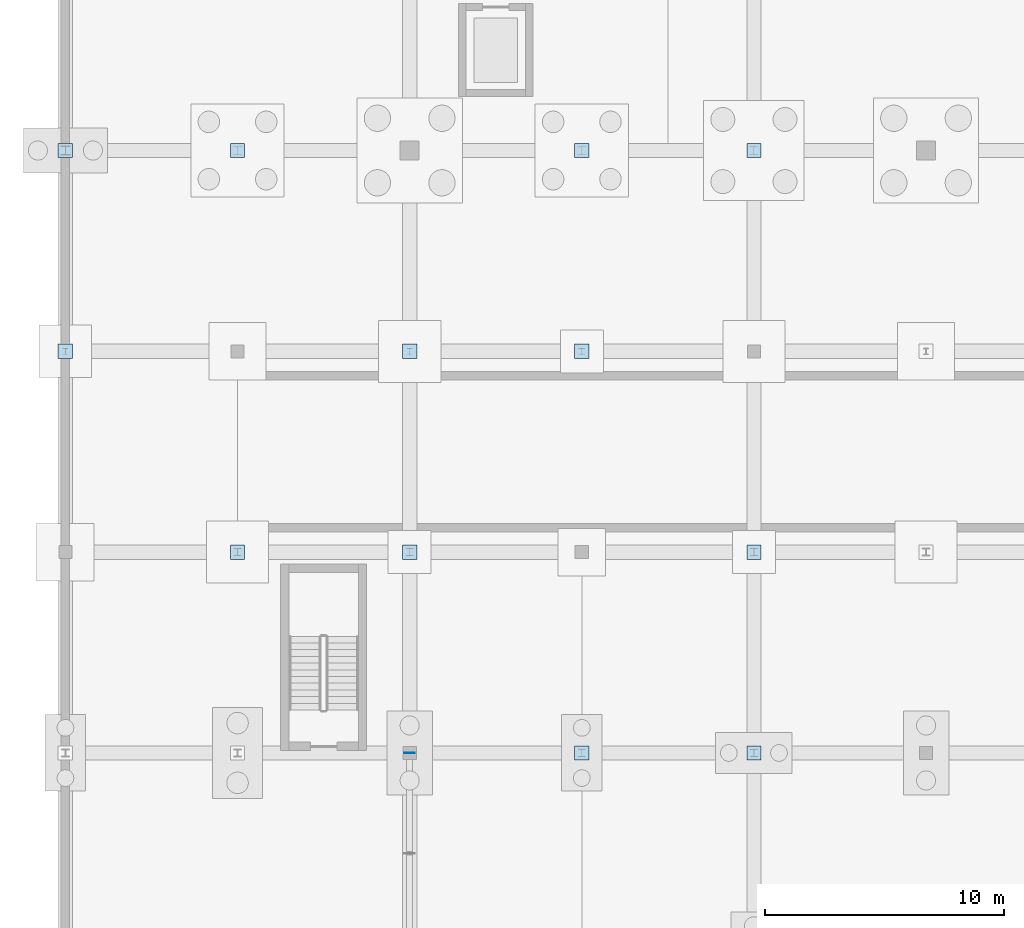
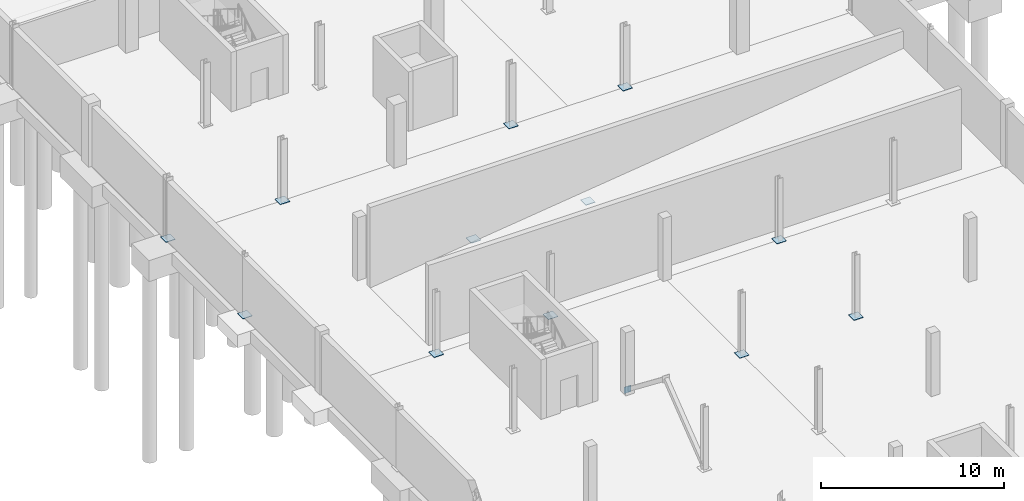
# One storey, part 18 of 32: 13 plates.
"""IFC4 building model written with IfcOpenShell, lengths in metres."""

from ifc_helpers import new_model, si_unit, direction, frame, origin, origin_2d, place, context, subcontext, project, spatial, rectangle, extrude, material, layer, layer_set, type_object, element, save


model = new_model("IFC4")

# Units and contexts
model_context = context("Model", 3, precision=1e-05, world=origin(), true_north=direction((0.0, 1.0)))
body_context = subcontext(model_context, "Body", "Model", "MODEL_VIEW")
ifc_project = project(units=[si_unit("LENGTHUNIT", "METRE"), si_unit("AREAUNIT", "SQUARE_METRE"), si_unit("VOLUMEUNIT", "CUBIC_METRE"), si_unit("PLANEANGLEUNIT", "RADIAN"), si_unit("MASSUNIT", "GRAM", prefix="KILO")], contexts=[model_context])

# Site, building, storey
site_placement = place(None, origin())
site = spatial("IfcSite", under=ifc_project, at=site_placement, CompositionType="ELEMENT")
building_placement = place(site_placement, origin())
building = spatial("IfcBuilding", under=site, at=building_placement, Name="Qelthora Terrace Specialist Clinic", CompositionType="ELEMENT")
storey_placement = place(building_placement, frame((0.0, 0.0, -4.199951171875)))
storey = spatial("IfcBuildingStorey", under=building, at=storey_placement, Name="B1", CompositionType="ELEMENT", Elevation=-4.199951171875)

# Plates
ifc_material = material(Name="Steel S355", Category="steel")
ifc_layer_1 = layer(ifc_material, 0.030029296875)
ifc_layer_set_1 = layer_set([ifc_layer_1], Name="Steel S355")
plate_type_1 = type_object("IfcPlateType", Name="PLT-BASE-600X600X30", PredefinedType="USERDEFINED", material=ifc_layer_set_1)
for number, where, z_axis, x_axis, name in (
    (1, (0.0, 50.39990234375, 0.0), (0.0, 0.0, 1.0), (1.0, 0.0, 0.0), "Steel column base plate BPLT-005"),
    (2, (0.0, 58.800048828125, 0.0), (0.0, 0.0, 1.0), (1.0, 0.0, 0.0), "Steel column base plate BPLT-006"),
    (3, (7.199951171875, 42.0, 0.0), (0.0, 0.0, 1.0), (1.0, 0.0, 0.0), "Steel column base plate BPLT-014"),
    (4, (7.199951171875, 58.800048828125, 0.0), (0.0, 0.0, 1.0), (1.0, 0.0, 0.0), "Steel column base plate BPLT-015"),
    (5, (14.39990234375, 42.0, 0.0), (0.0, 0.0, 1.0), (1.0, 0.0, 0.0), "Steel column base plate BPLT-023"),
    (6, (14.39990234375, 50.39990234375, 0.0), (0.0, 0.0, 1.0), (1.0, 0.0, 0.0), "Steel column base plate BPLT-024"),
    (7, (21.60009765625, 33.60009765625, 0.0), (0.0, 0.0, 1.0), (1.0, 0.0, 0.0), "Steel column base plate BPLT-032"),
    (8, (21.60009765625, 50.39990234375, 0.0), (0.0, 0.0, 1.0), (1.0, 0.0, 0.0), "Steel column base plate BPLT-033"),
    (9, (21.60009765625, 58.800048828125, 0.0), (0.0, 0.0, 1.0), (1.0, 0.0, 0.0), "Steel column base plate BPLT-034"),
    (10, (28.800048828125, 33.60009765625, 0.0), (0.0, 0.0, 1.0), (1.0, 0.0, 0.0), "Steel column base plate BPLT-039"),
    (11, (28.800048828125, 42.0, 0.0), (0.0, 0.0, 1.0), (1.0, 0.0, 0.0), "Steel column base plate BPLT-040"),
    (12, (28.800048828125, 58.800048828125, 0.0), (0.0, 0.0, 1.0), (1.0, 0.0, 0.0), "Steel column base plate BPLT-041"),
):
    element("IfcPlate", number, at=place(storey_placement, frame(where, z_axis=z_axis, x_axis=x_axis)), inside=storey, type_object=plate_type_1, Name=name, ObjectType="GUSSET PLATE", PredefinedType="USERDEFINED", context=body_context, shape_type="SweptSolid", body=[
        extrude(rectangle(XDim=0.60009765625, YDim=0.60009765625, at=origin_2d()), origin(), (0.0, 0.0, 1.0), 0.030029296875),
    ])
ifc_layer_2 = layer(ifc_material, 0.02001953125)
ifc_layer_set_2 = layer_set([ifc_layer_2], Name="Steel S355")
plate_type_2 = type_object("IfcPlateType", Name="PLT-GUS-480X480X20", PredefinedType="USERDEFINED", material=ifc_layer_set_2)
plate_placement = place(storey_placement, frame((14.39990234375, 33.60009765625, -0.0400390625), z_axis=(0.0, 0.0, 1.0), x_axis=(1.0, 0.0, 0.0)))
element("IfcPlate", 13, at=plate_placement, inside=storey, type_object=plate_type_2, Name="Steel truss node plate GPLT-0220", ObjectType="GUSSET PLATE", PredefinedType="USERDEFINED", context=body_context, shape_type="SweptSolid", body=[
    extrude(rectangle(XDim=0.43994140625, YDim=0.02001953125, at=origin_2d()), origin(), (0.0, 0.0, 1.0), 0.43994140625),
])

save(model, "model.ifc")
